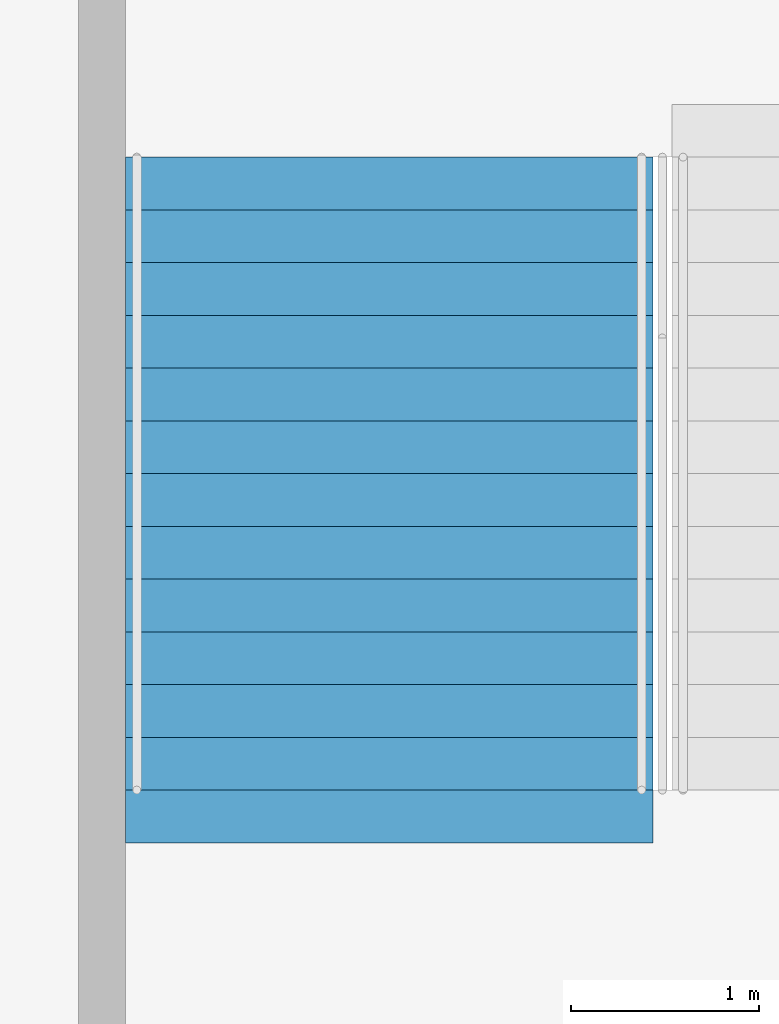
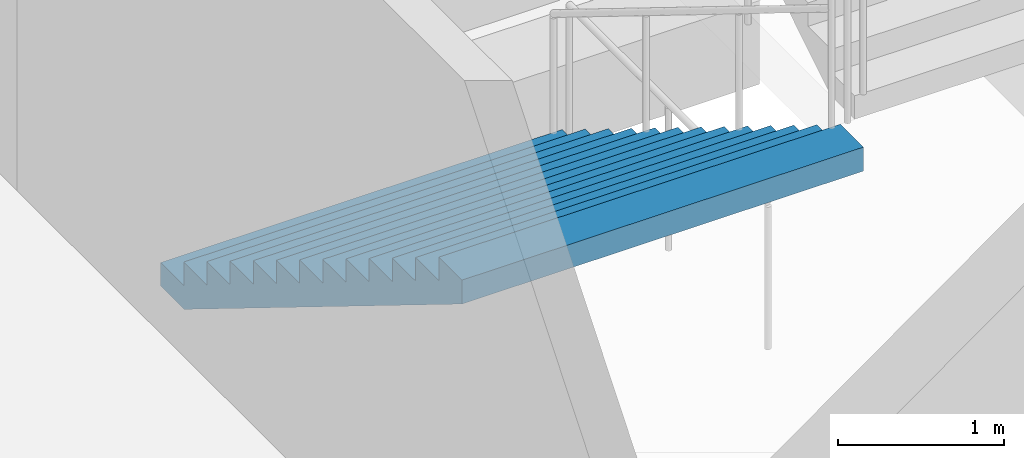
# One storey, part 108 of 199: 1 stair flight, 1 element without a shape of its own.
"""IFC4 building model written with IfcOpenShell, lengths in metres."""

from ifc_helpers import new_model, si_unit, direction, frame, origin, place, context, subcontext, project, spatial, faceted_brep, material, type_object, element, aggregate, save


model = new_model("IFC4")

# Units and contexts
model_context = context("Model", 3, precision=1e-05, world=origin(), true_north=direction((0.0, 1.0)))
body_context = subcontext(model_context, "Body", "Model", "MODEL_VIEW")
ifc_project = project(units=[si_unit("LENGTHUNIT", "METRE"), si_unit("AREAUNIT", "SQUARE_METRE"), si_unit("VOLUMEUNIT", "CUBIC_METRE"), si_unit("PLANEANGLEUNIT", "RADIAN"), si_unit("MASSUNIT", "GRAM", prefix="KILO")], contexts=[model_context])

# Site, building, storey
site_placement = place(None, origin())
site = spatial("IfcSite", under=ifc_project, at=site_placement, CompositionType="ELEMENT")
building_placement = place(site_placement, origin())
building = spatial("IfcBuilding", under=site, at=building_placement, Name="Ogive Plaza Stadium", CompositionType="ELEMENT")
storey_placement = place(building_placement, frame((0.0, 0.0, 9.0)))
storey = spatial("IfcBuildingStorey", under=building, at=storey_placement, Name="L02", CompositionType="ELEMENT", Elevation=9.0)

# Stair, stair flight
ifc_material_1 = material(Name="Concrete C40/50", Category="concrete")
stair_type = type_object("IfcStairType", Name="Exit stair", PredefinedType="STRAIGHT_RUN_STAIR", material=ifc_material_1)
stair_placement = place(storey_placement, origin())
stair = element("IfcStair", 1, at=stair_placement, inside=storey, type_object=stair_type, Name="Exit stair ST16A L02 to L03", PredefinedType="STRAIGHT_RUN_STAIR")
ifc_material_2 = material(Name="Concrete C40/50", Category="concrete")
stair_flight_type = type_object("IfcStairFlightType", Name="Exit stair flight", PredefinedType="STRAIGHT", material=ifc_material_2)
stair_flight_placement = place(storey_placement, frame((-24.824951171875, -94.85009765625, 0.0), z_axis=(0.0, 0.0, 1.0), x_axis=(0.0, -1.0, 0.0)))
stair_flight = element("IfcStairFlight", 2, at=stair_flight_placement, type_object=stair_flight_type, Name="ST16A flight 1", NumberOfRisers=13, NumberOfTreads=12, PredefinedType="STRAIGHT", RiserHeight=0.173076923, TreadLength=0.28, context=body_context, shape_type="Brep", body=[
    faceted_brep([(0.28515625, -1.39990234375, 0.0), (3.639892578125, -1.39990234375, 2.07373046875), (3.639892578125, -1.39990234375, 2.25), (3.360107421875, -1.39990234375, 2.25), (3.360107421875, -1.39990234375, 2.076904296875), (3.080078125, -1.39990234375, 2.076904296875), (3.080078125, -1.39990234375, 1.90380859375), (2.800048828125, -1.39990234375, 1.90380859375), (2.800048828125, -1.39990234375, 1.730712890625), (2.52001953125, -1.39990234375, 1.730712890625), (2.52001953125, -1.39990234375, 1.5576171875), (2.239990234375, -1.39990234375, 1.5576171875), (2.239990234375, -1.39990234375, 1.384521484375), (1.9599609375, -1.39990234375, 1.384521484375), (1.9599609375, -1.39990234375, 1.21142578125), (1.679931640625, -1.39990234375, 1.21142578125), (1.679931640625, -1.39990234375, 1.03857421875), (1.39990234375, -1.39990234375, 1.03857421875), (1.39990234375, -1.39990234375, 0.865478515625), (1.1201171875, -1.39990234375, 0.865478515625), (1.1201171875, -1.39990234375, 0.6923828125), (0.840087890625, -1.39990234375, 0.6923828125), (0.840087890625, -1.39990234375, 0.519287109375), (0.56005859375, -1.39990234375, 0.519287109375), (0.56005859375, -1.39990234375, 0.34619140625), (0.280029296875, -1.39990234375, 0.34619140625), (0.280029296875, -1.39990234375, 0.173095703125), (0.0, -1.39990234375, 0.173095703125), (0.0, -1.39990234375, 0.0), (0.0, 1.39990234375, 0.0), (0.0, 1.39990234375, 0.173095703125), (0.280029296875, 1.39990234375, 0.173095703125), (0.280029296875, 1.39990234375, 0.34619140625), (0.56005859375, 1.39990234375, 0.34619140625), (0.56005859375, 1.39990234375, 0.519287109375), (0.840087890625, 1.39990234375, 0.519287109375), (0.840087890625, 1.39990234375, 0.6923828125), (1.1201171875, 1.39990234375, 0.6923828125), (1.1201171875, 1.39990234375, 0.865478515625), (1.39990234375, 1.39990234375, 0.865478515625), (1.39990234375, 1.39990234375, 1.03857421875), (1.679931640625, 1.39990234375, 1.03857421875), (1.679931640625, 1.39990234375, 1.21142578125), (1.9599609375, 1.39990234375, 1.21142578125), (1.9599609375, 1.39990234375, 1.384521484375), (2.239990234375, 1.39990234375, 1.384521484375), (2.239990234375, 1.39990234375, 1.5576171875), (2.52001953125, 1.39990234375, 1.5576171875), (2.52001953125, 1.39990234375, 1.730712890625), (2.800048828125, 1.39990234375, 1.730712890625), (2.800048828125, 1.39990234375, 1.90380859375), (3.080078125, 1.39990234375, 1.90380859375), (3.080078125, 1.39990234375, 2.076904296875), (3.360107421875, 1.39990234375, 2.076904296875), (3.360107421875, 1.39990234375, 2.25), (3.639892578125, 1.39990234375, 2.25), (3.639892578125, 1.39990234375, 2.07373046875), (0.28515625, 1.39990234375, 0.0), (0.28515625, -1.0888671875, 0.0), (3.639892578125, -1.0888671875, 2.07373046875), (0.28515625, -0.77783203125, 0.0), (3.639892578125, -0.77783203125, 2.07373046875), (0.28515625, -0.466796875, 0.0), (3.639892578125, -0.466796875, 2.07373046875), (0.28515625, -0.155517578125, 0.0), (3.639892578125, -0.155517578125, 2.07373046875), (0.28515625, 0.155517578125, 0.0), (3.639892578125, 0.155517578125, 2.07373046875), (0.28515625, 0.466796875, 0.0), (3.639892578125, 0.466796875, 2.07373046875), (0.28515625, 0.77783203125, 0.0), (3.639892578125, 0.77783203125, 2.07373046875), (0.28515625, 1.0888671875, 0.0), (3.639892578125, 1.0888671875, 2.07373046875), (3.639892578125, -1.0888671875, 2.25), (3.639892578125, -0.77783203125, 2.25), (3.639892578125, -0.466796875, 2.25), (3.639892578125, -0.155517578125, 2.25), (3.639892578125, 0.155517578125, 2.25), (3.639892578125, 0.466796875, 2.25), (3.639892578125, 0.77783203125, 2.25), (3.639892578125, 1.0888671875, 2.25), (3.360107421875, -1.0888671875, 2.25), (3.360107421875, -0.77783203125, 2.25), (3.360107421875, -0.466796875, 2.25), (3.360107421875, -0.155517578125, 2.25), (3.360107421875, 0.155517578125, 2.25), (3.360107421875, 0.466796875, 2.25), (3.360107421875, 0.77783203125, 2.25), (3.360107421875, 1.0888671875, 2.25), (3.360107421875, -1.0888671875, 2.076904296875), (3.360107421875, -0.77783203125, 2.076904296875), (3.360107421875, -0.466796875, 2.076904296875), (3.360107421875, -0.155517578125, 2.076904296875), (3.360107421875, 0.155517578125, 2.076904296875), (3.360107421875, 0.466796875, 2.076904296875), (3.360107421875, 0.77783203125, 2.076904296875), (3.360107421875, 1.0888671875, 2.076904296875), (3.080078125, -1.0888671875, 2.076904296875), (3.080078125, -0.77783203125, 2.076904296875), (3.080078125, -0.466796875, 2.076904296875), (3.080078125, -0.155517578125, 2.076904296875), (3.080078125, 0.155517578125, 2.076904296875), (3.080078125, 0.466796875, 2.076904296875), (3.080078125, 0.77783203125, 2.076904296875), (3.080078125, 1.0888671875, 2.076904296875), (3.080078125, -1.0888671875, 1.90380859375), (3.080078125, -0.77783203125, 1.90380859375), (3.080078125, -0.466796875, 1.90380859375), (3.080078125, -0.155517578125, 1.90380859375), (3.080078125, 0.155517578125, 1.90380859375), (3.080078125, 0.466796875, 1.90380859375), (3.080078125, 0.77783203125, 1.90380859375), (3.080078125, 1.0888671875, 1.90380859375), (2.800048828125, -1.0888671875, 1.90380859375), (2.800048828125, -0.77783203125, 1.90380859375), (2.800048828125, -0.466796875, 1.90380859375), (2.800048828125, -0.155517578125, 1.90380859375), (2.800048828125, 0.155517578125, 1.90380859375), (2.800048828125, 0.466796875, 1.90380859375), (2.800048828125, 0.77783203125, 1.90380859375), (2.800048828125, 1.0888671875, 1.90380859375), (2.800048828125, -1.0888671875, 1.730712890625), (2.800048828125, -0.77783203125, 1.730712890625), (2.800048828125, -0.466796875, 1.730712890625), (2.800048828125, -0.155517578125, 1.730712890625), (2.800048828125, 0.155517578125, 1.730712890625), (2.800048828125, 0.466796875, 1.730712890625), (2.800048828125, 0.77783203125, 1.730712890625), (2.800048828125, 1.0888671875, 1.730712890625), (2.52001953125, -1.0888671875, 1.730712890625), (2.52001953125, -0.77783203125, 1.730712890625), (2.52001953125, -0.466796875, 1.730712890625), (2.52001953125, -0.155517578125, 1.730712890625), (2.52001953125, 0.155517578125, 1.730712890625), (2.52001953125, 0.466796875, 1.730712890625), (2.52001953125, 0.77783203125, 1.730712890625), (2.52001953125, 1.0888671875, 1.730712890625), (2.52001953125, -1.0888671875, 1.5576171875), (2.52001953125, -0.77783203125, 1.5576171875), (2.52001953125, -0.466796875, 1.5576171875), (2.52001953125, -0.155517578125, 1.5576171875), (2.52001953125, 0.155517578125, 1.5576171875), (2.52001953125, 0.466796875, 1.5576171875), (2.52001953125, 0.77783203125, 1.5576171875), (2.52001953125, 1.0888671875, 1.5576171875), (2.239990234375, -1.0888671875, 1.5576171875), (2.239990234375, -0.77783203125, 1.5576171875), (2.239990234375, -0.466796875, 1.5576171875), (2.239990234375, -0.155517578125, 1.5576171875), (2.239990234375, 0.155517578125, 1.5576171875), (2.239990234375, 0.466796875, 1.5576171875), (2.239990234375, 0.77783203125, 1.5576171875), (2.239990234375, 1.0888671875, 1.5576171875), (2.239990234375, -1.0888671875, 1.384521484375), (2.239990234375, -0.77783203125, 1.384521484375), (2.239990234375, -0.466796875, 1.384521484375), (2.239990234375, -0.155517578125, 1.384521484375), (2.239990234375, 0.155517578125, 1.384521484375), (2.239990234375, 0.466796875, 1.384521484375), (2.239990234375, 0.77783203125, 1.384521484375), (2.239990234375, 1.0888671875, 1.384521484375), (1.9599609375, -1.0888671875, 1.384521484375), (1.9599609375, -0.77783203125, 1.384521484375), (1.9599609375, -0.466796875, 1.384521484375), (1.9599609375, -0.155517578125, 1.384521484375), (1.9599609375, 0.155517578125, 1.384521484375), (1.9599609375, 0.466796875, 1.384521484375), (1.9599609375, 0.77783203125, 1.384521484375), (1.9599609375, 1.0888671875, 1.384521484375), (1.9599609375, -1.0888671875, 1.21142578125), (1.9599609375, -0.77783203125, 1.21142578125), (1.9599609375, -0.466796875, 1.21142578125), (1.9599609375, -0.155517578125, 1.21142578125), (1.9599609375, 0.155517578125, 1.21142578125), (1.9599609375, 0.466796875, 1.21142578125), (1.9599609375, 0.77783203125, 1.21142578125), (1.9599609375, 1.0888671875, 1.21142578125), (1.679931640625, -1.0888671875, 1.21142578125), (1.679931640625, -0.77783203125, 1.21142578125), (1.679931640625, -0.466796875, 1.21142578125), (1.679931640625, -0.155517578125, 1.21142578125), (1.679931640625, 0.155517578125, 1.21142578125), (1.679931640625, 0.466796875, 1.21142578125), (1.679931640625, 0.77783203125, 1.21142578125), (1.679931640625, 1.0888671875, 1.21142578125), (1.679931640625, -1.0888671875, 1.03857421875), (1.679931640625, -0.77783203125, 1.03857421875), (1.679931640625, -0.466796875, 1.03857421875), (1.679931640625, -0.155517578125, 1.03857421875), (1.679931640625, 0.155517578125, 1.03857421875), (1.679931640625, 0.466796875, 1.03857421875), (1.679931640625, 0.77783203125, 1.03857421875), (1.679931640625, 1.0888671875, 1.03857421875), (1.39990234375, -1.0888671875, 1.03857421875), (1.39990234375, -0.77783203125, 1.03857421875), (1.39990234375, -0.466796875, 1.03857421875), (1.39990234375, -0.155517578125, 1.03857421875), (1.39990234375, 0.155517578125, 1.03857421875), (1.39990234375, 0.466796875, 1.03857421875), (1.39990234375, 0.77783203125, 1.03857421875), (1.39990234375, 1.0888671875, 1.03857421875), (1.39990234375, -1.0888671875, 0.865478515625), (1.39990234375, -0.77783203125, 0.865478515625), (1.39990234375, -0.466796875, 0.865478515625), (1.39990234375, -0.155517578125, 0.865478515625), (1.39990234375, 0.155517578125, 0.865478515625), (1.39990234375, 0.466796875, 0.865478515625), (1.39990234375, 0.77783203125, 0.865478515625), (1.39990234375, 1.0888671875, 0.865478515625), (1.1201171875, -1.0888671875, 0.865478515625), (1.1201171875, -0.77783203125, 0.865478515625), (1.1201171875, -0.466796875, 0.865478515625), (1.1201171875, -0.155517578125, 0.865478515625), (1.1201171875, 0.155517578125, 0.865478515625), (1.1201171875, 0.466796875, 0.865478515625), (1.1201171875, 0.77783203125, 0.865478515625), (1.1201171875, 1.0888671875, 0.865478515625), (1.1201171875, -1.0888671875, 0.6923828125), (1.1201171875, -0.77783203125, 0.6923828125), (1.1201171875, -0.466796875, 0.6923828125), (1.1201171875, -0.155517578125, 0.6923828125), (1.1201171875, 0.155517578125, 0.6923828125), (1.1201171875, 0.466796875, 0.6923828125), (1.1201171875, 0.77783203125, 0.6923828125), (1.1201171875, 1.0888671875, 0.6923828125), (0.840087890625, -1.0888671875, 0.6923828125), (0.840087890625, -0.77783203125, 0.6923828125), (0.840087890625, -0.466796875, 0.6923828125), (0.840087890625, -0.155517578125, 0.6923828125), (0.840087890625, 0.155517578125, 0.6923828125), (0.840087890625, 0.466796875, 0.6923828125), (0.840087890625, 0.77783203125, 0.6923828125), (0.840087890625, 1.0888671875, 0.6923828125), (0.840087890625, -1.0888671875, 0.519287109375), (0.840087890625, -0.77783203125, 0.519287109375), (0.840087890625, -0.466796875, 0.519287109375), (0.840087890625, -0.155517578125, 0.519287109375), (0.840087890625, 0.155517578125, 0.519287109375), (0.840087890625, 0.466796875, 0.519287109375), (0.840087890625, 0.77783203125, 0.519287109375), (0.840087890625, 1.0888671875, 0.519287109375), (0.56005859375, -1.0888671875, 0.519287109375), (0.56005859375, -0.77783203125, 0.519287109375), (0.56005859375, -0.466796875, 0.519287109375), (0.56005859375, -0.155517578125, 0.519287109375), (0.56005859375, 0.155517578125, 0.519287109375), (0.56005859375, 0.466796875, 0.519287109375), (0.56005859375, 0.77783203125, 0.519287109375), (0.56005859375, 1.0888671875, 0.519287109375), (0.56005859375, -1.0888671875, 0.34619140625), (0.56005859375, -0.77783203125, 0.34619140625), (0.56005859375, -0.466796875, 0.34619140625), (0.56005859375, -0.155517578125, 0.34619140625), (0.56005859375, 0.155517578125, 0.34619140625), (0.56005859375, 0.466796875, 0.34619140625), (0.56005859375, 0.77783203125, 0.34619140625), (0.56005859375, 1.0888671875, 0.34619140625), (0.280029296875, -1.0888671875, 0.34619140625), (0.280029296875, -0.77783203125, 0.34619140625), (0.280029296875, -0.466796875, 0.34619140625), (0.280029296875, -0.155517578125, 0.34619140625), (0.280029296875, 0.155517578125, 0.34619140625), (0.280029296875, 0.466796875, 0.34619140625), (0.280029296875, 0.77783203125, 0.34619140625), (0.280029296875, 1.0888671875, 0.34619140625), (0.280029296875, -1.0888671875, 0.173095703125), (0.280029296875, -0.77783203125, 0.173095703125), (0.280029296875, -0.466796875, 0.173095703125), (0.280029296875, -0.155517578125, 0.173095703125), (0.280029296875, 0.155517578125, 0.173095703125), (0.280029296875, 0.466796875, 0.173095703125), (0.280029296875, 0.77783203125, 0.173095703125), (0.280029296875, 1.0888671875, 0.173095703125), (0.0, -1.0888671875, 0.173095703125), (0.0, -0.77783203125, 0.173095703125), (0.0, -0.466796875, 0.173095703125), (0.0, -0.155517578125, 0.173095703125), (0.0, 0.155517578125, 0.173095703125), (0.0, 0.466796875, 0.173095703125), (0.0, 0.77783203125, 0.173095703125), (0.0, 1.0888671875, 0.173095703125), (0.0, -1.0888671875, 0.0), (0.0, -0.77783203125, 0.0), (0.0, -0.466796875, 0.0), (0.0, -0.155517578125, 0.0), (0.0, 0.155517578125, 0.0), (0.0, 0.466796875, 0.0), (0.0, 0.77783203125, 0.0), (0.0, 1.0888671875, 0.0)], [[[0, 1, 2, 3, 4, 5, 6, 7, 8, 9, 10, 11, 12, 13, 14, 15, 16, 17, 18, 19, 20, 21, 22, 23, 24, 25, 26, 27, 28]], [[29, 30, 31, 32, 33, 34, 35, 36, 37, 38, 39, 40, 41, 42, 43, 44, 45, 46, 47, 48, 49, 50, 51, 52, 53, 54, 55, 56, 57]], [[0, 58, 59, 1]], [[58, 60, 61, 59]], [[60, 62, 63, 61]], [[62, 64, 65, 63]], [[64, 66, 67, 65]], [[66, 68, 69, 67]], [[68, 70, 71, 69]], [[70, 72, 73, 71]], [[72, 57, 56, 73]], [[1, 59, 74, 2]], [[59, 61, 75, 74]], [[61, 63, 76, 75]], [[63, 65, 77, 76]], [[65, 67, 78, 77]], [[67, 69, 79, 78]], [[69, 71, 80, 79]], [[71, 73, 81, 80]], [[73, 56, 55, 81]], [[2, 74, 82, 3]], [[74, 75, 83, 82]], [[75, 76, 84, 83]], [[76, 77, 85, 84]], [[77, 78, 86, 85]], [[78, 79, 87, 86]], [[79, 80, 88, 87]], [[80, 81, 89, 88]], [[81, 55, 54, 89]], [[3, 82, 90, 4]], [[82, 83, 91, 90]], [[83, 84, 92, 91]], [[84, 85, 93, 92]], [[85, 86, 94, 93]], [[86, 87, 95, 94]], [[87, 88, 96, 95]], [[88, 89, 97, 96]], [[89, 54, 53, 97]], [[4, 90, 98, 5]], [[90, 91, 99, 98]], [[91, 92, 100, 99]], [[92, 93, 101, 100]], [[93, 94, 102, 101]], [[94, 95, 103, 102]], [[95, 96, 104, 103]], [[96, 97, 105, 104]], [[97, 53, 52, 105]], [[5, 98, 106, 6]], [[98, 99, 107, 106]], [[99, 100, 108, 107]], [[100, 101, 109, 108]], [[101, 102, 110, 109]], [[102, 103, 111, 110]], [[103, 104, 112, 111]], [[104, 105, 113, 112]], [[105, 52, 51, 113]], [[6, 106, 114, 7]], [[106, 107, 115, 114]], [[107, 108, 116, 115]], [[108, 109, 117, 116]], [[109, 110, 118, 117]], [[110, 111, 119, 118]], [[111, 112, 120, 119]], [[112, 113, 121, 120]], [[113, 51, 50, 121]], [[7, 114, 122, 8]], [[114, 115, 123, 122]], [[115, 116, 124, 123]], [[116, 117, 125, 124]], [[117, 118, 126, 125]], [[118, 119, 127, 126]], [[119, 120, 128, 127]], [[120, 121, 129, 128]], [[121, 50, 49, 129]], [[8, 122, 130, 9]], [[122, 123, 131, 130]], [[123, 124, 132, 131]], [[124, 125, 133, 132]], [[125, 126, 134, 133]], [[126, 127, 135, 134]], [[127, 128, 136, 135]], [[128, 129, 137, 136]], [[129, 49, 48, 137]], [[9, 130, 138, 10]], [[130, 131, 139, 138]], [[131, 132, 140, 139]], [[132, 133, 141, 140]], [[133, 134, 142, 141]], [[134, 135, 143, 142]], [[135, 136, 144, 143]], [[136, 137, 145, 144]], [[137, 48, 47, 145]], [[10, 138, 146, 11]], [[138, 139, 147, 146]], [[139, 140, 148, 147]], [[140, 141, 149, 148]], [[141, 142, 150, 149]], [[142, 143, 151, 150]], [[143, 144, 152, 151]], [[144, 145, 153, 152]], [[145, 47, 46, 153]], [[11, 146, 154, 12]], [[146, 147, 155, 154]], [[147, 148, 156, 155]], [[148, 149, 157, 156]], [[149, 150, 158, 157]], [[150, 151, 159, 158]], [[151, 152, 160, 159]], [[152, 153, 161, 160]], [[153, 46, 45, 161]], [[12, 154, 162, 13]], [[154, 155, 163, 162]], [[155, 156, 164, 163]], [[156, 157, 165, 164]], [[157, 158, 166, 165]], [[158, 159, 167, 166]], [[159, 160, 168, 167]], [[160, 161, 169, 168]], [[161, 45, 44, 169]], [[13, 162, 170, 14]], [[162, 163, 171, 170]], [[163, 164, 172, 171]], [[164, 165, 173, 172]], [[165, 166, 174, 173]], [[166, 167, 175, 174]], [[167, 168, 176, 175]], [[168, 169, 177, 176]], [[169, 44, 43, 177]], [[14, 170, 178, 15]], [[170, 171, 179, 178]], [[171, 172, 180, 179]], [[172, 173, 181, 180]], [[173, 174, 182, 181]], [[174, 175, 183, 182]], [[175, 176, 184, 183]], [[176, 177, 185, 184]], [[177, 43, 42, 185]], [[15, 178, 186, 16]], [[178, 179, 187, 186]], [[179, 180, 188, 187]], [[180, 181, 189, 188]], [[181, 182, 190, 189]], [[182, 183, 191, 190]], [[183, 184, 192, 191]], [[184, 185, 193, 192]], [[185, 42, 41, 193]], [[16, 186, 194, 17]], [[186, 187, 195, 194]], [[187, 188, 196, 195]], [[188, 189, 197, 196]], [[189, 190, 198, 197]], [[190, 191, 199, 198]], [[191, 192, 200, 199]], [[192, 193, 201, 200]], [[193, 41, 40, 201]], [[17, 194, 202, 18]], [[194, 195, 203, 202]], [[195, 196, 204, 203]], [[196, 197, 205, 204]], [[197, 198, 206, 205]], [[198, 199, 207, 206]], [[199, 200, 208, 207]], [[200, 201, 209, 208]], [[201, 40, 39, 209]], [[18, 202, 210, 19]], [[202, 203, 211, 210]], [[203, 204, 212, 211]], [[204, 205, 213, 212]], [[205, 206, 214, 213]], [[206, 207, 215, 214]], [[207, 208, 216, 215]], [[208, 209, 217, 216]], [[209, 39, 38, 217]], [[19, 210, 218, 20]], [[210, 211, 219, 218]], [[211, 212, 220, 219]], [[212, 213, 221, 220]], [[213, 214, 222, 221]], [[214, 215, 223, 222]], [[215, 216, 224, 223]], [[216, 217, 225, 224]], [[217, 38, 37, 225]], [[20, 218, 226, 21]], [[218, 219, 227, 226]], [[219, 220, 228, 227]], [[220, 221, 229, 228]], [[221, 222, 230, 229]], [[222, 223, 231, 230]], [[223, 224, 232, 231]], [[224, 225, 233, 232]], [[225, 37, 36, 233]], [[21, 226, 234, 22]], [[226, 227, 235, 234]], [[227, 228, 236, 235]], [[228, 229, 237, 236]], [[229, 230, 238, 237]], [[230, 231, 239, 238]], [[231, 232, 240, 239]], [[232, 233, 241, 240]], [[233, 36, 35, 241]], [[22, 234, 242, 23]], [[234, 235, 243, 242]], [[235, 236, 244, 243]], [[236, 237, 245, 244]], [[237, 238, 246, 245]], [[238, 239, 247, 246]], [[239, 240, 248, 247]], [[240, 241, 249, 248]], [[241, 35, 34, 249]], [[23, 242, 250, 24]], [[242, 243, 251, 250]], [[243, 244, 252, 251]], [[244, 245, 253, 252]], [[245, 246, 254, 253]], [[246, 247, 255, 254]], [[247, 248, 256, 255]], [[248, 249, 257, 256]], [[249, 34, 33, 257]], [[24, 250, 258, 25]], [[250, 251, 259, 258]], [[251, 252, 260, 259]], [[252, 253, 261, 260]], [[253, 254, 262, 261]], [[254, 255, 263, 262]], [[255, 256, 264, 263]], [[256, 257, 265, 264]], [[257, 33, 32, 265]], [[25, 258, 266, 26]], [[258, 259, 267, 266]], [[259, 260, 268, 267]], [[260, 261, 269, 268]], [[261, 262, 270, 269]], [[262, 263, 271, 270]], [[263, 264, 272, 271]], [[264, 265, 273, 272]], [[265, 32, 31, 273]], [[26, 266, 274, 27]], [[266, 267, 275, 274]], [[267, 268, 276, 275]], [[268, 269, 277, 276]], [[269, 270, 278, 277]], [[270, 271, 279, 278]], [[271, 272, 280, 279]], [[272, 273, 281, 280]], [[273, 31, 30, 281]], [[27, 274, 282, 28]], [[274, 275, 283, 282]], [[275, 276, 284, 283]], [[276, 277, 285, 284]], [[277, 278, 286, 285]], [[278, 279, 287, 286]], [[279, 280, 288, 287]], [[280, 281, 289, 288]], [[281, 30, 29, 289]], [[28, 282, 58, 0]], [[282, 283, 60, 58]], [[283, 284, 62, 60]], [[284, 285, 64, 62]], [[285, 286, 66, 64]], [[286, 287, 68, 66]], [[287, 288, 70, 68]], [[288, 289, 72, 70]], [[289, 29, 57, 72]]]),
])
aggregate(stair, [stair_flight])

save(model, "model.ifc")
